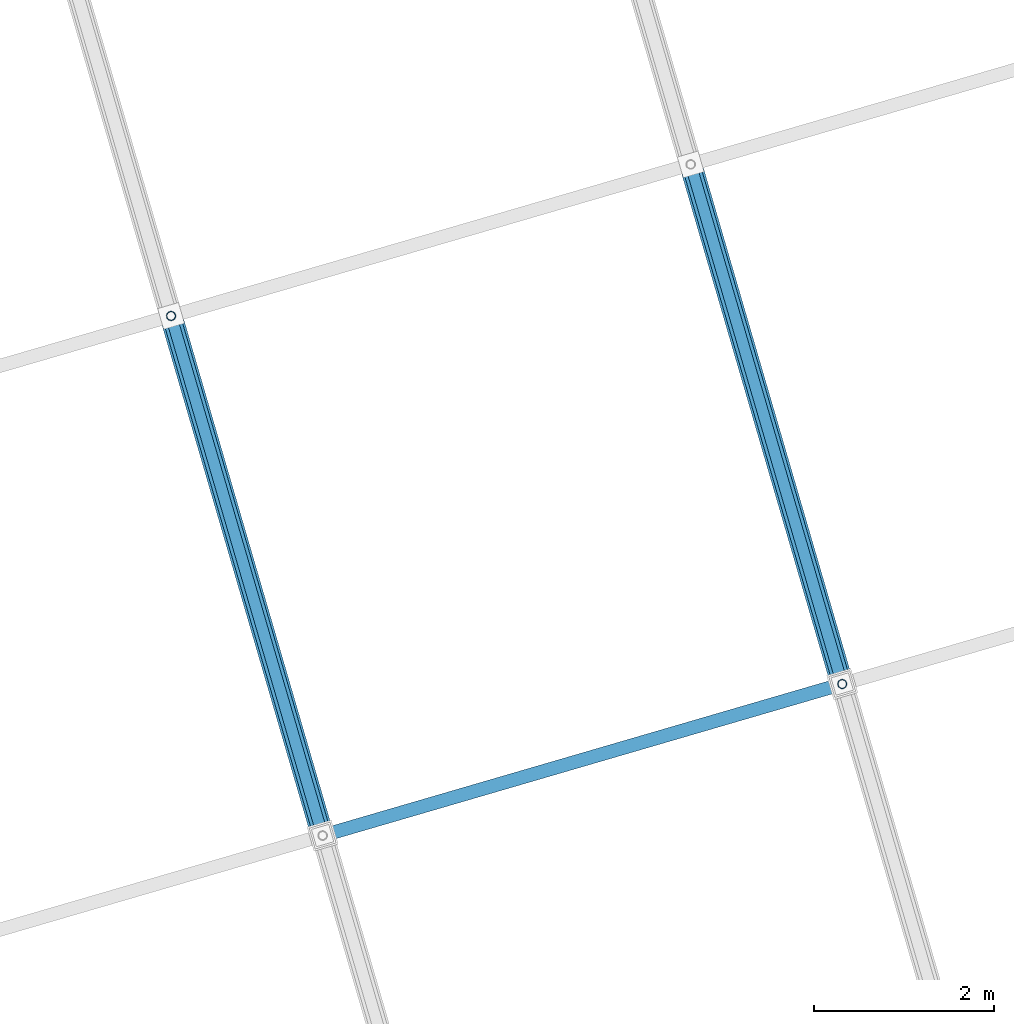
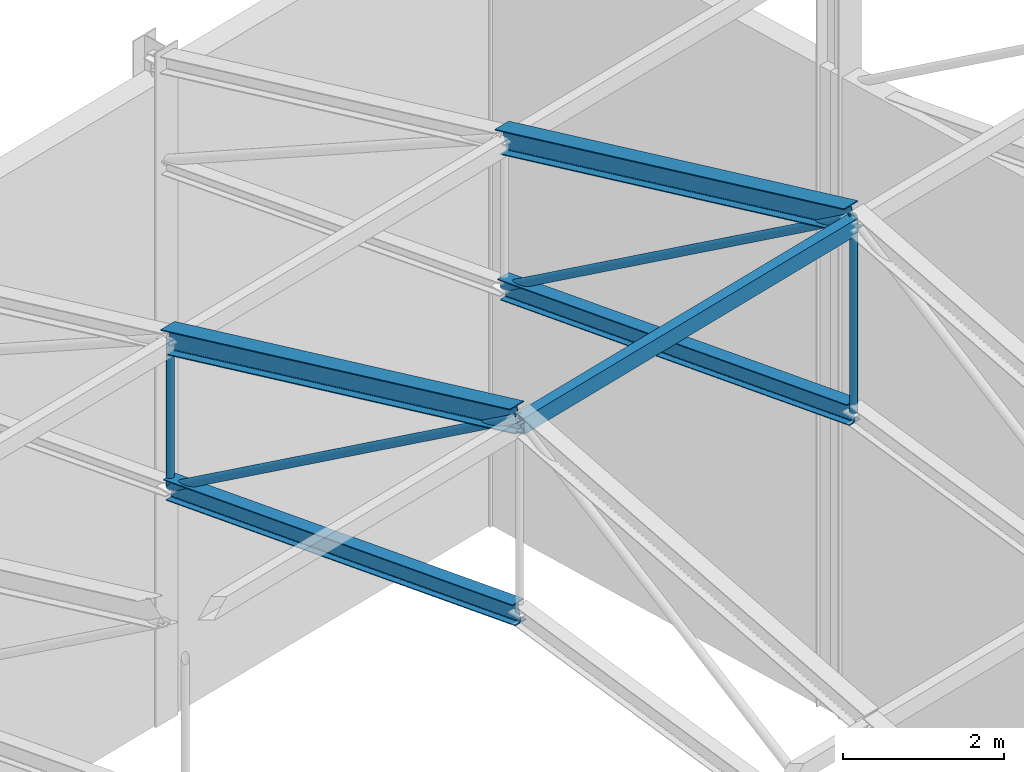
# One storey, part 179 of 248: 9 members.
"""IFC4 building model written with IfcOpenShell, lengths in metres."""

import ifcopenshell
import ifcopenshell.guid

model = None  # the IFC model being written
_history = None  # IfcOwnerHistory: only IFC2X3 demands one
_inside = {}  # id of a spatial element -> (the spatial element, [elements in it])
_under = {}  # id of a project, library or spatial element -> (it, [spatial elements below it])
_declared = {}  # id of a project -> (the project, [libraries it declares])
_typed = {}  # id of a type object -> (the type object, [elements of that type])
_made_of = {}  # id of a material, layer set ... -> (it, [elements and type objects made of it])


def new_model(schema):
    """Start an empty IFC model of exactly this schema.

    Asked for "IFC4X3", IfcOpenShell would pick the latest addendum, in which some entities
    have other attributes; the version numbers below select the first issue.
    IFC2X3 requires an IfcOwnerHistory on every rooted entity: one is made here for all.
    """
    global model, _history
    if schema == "IFC4X3":
        model = ifcopenshell.file(schema_version=(4, 3, 0, 0))
    else:
        model = ifcopenshell.file(schema=schema)
    _inside.clear()
    _under.clear()
    _declared.clear()
    _typed.clear()
    _made_of.clear()
    _history = None
    if model.schema == "IFC2X3":
        org = make("IfcOrganization", Name="unknown")
        user = make(
            "IfcPersonAndOrganization",
            ThePerson=make("IfcPerson", FamilyName="unknown"),
            TheOrganization=org,
        )
        app = make(
            "IfcApplication",
            ApplicationDeveloper=org,
            Version="unknown",
            ApplicationFullName="unknown",
            ApplicationIdentifier="unknown",
        )
        _history = make(
            "IfcOwnerHistory",
            OwningUser=user,
            OwningApplication=app,
            ChangeAction="ADDED",
            CreationDate=0,
        )
    return model


def make(cls, **values):
    """One entity of the class cls with the attributes given. An attribute that is None is left unset."""
    return model.create_entity(
        cls, **{name: value for name, value in values.items() if value is not None}
    )


def rooted(cls, **values):
    """An entity with a GlobalId (a new one), such as an element, a storey or a relation."""
    return make(cls, GlobalId=ifcopenshell.guid.new(), OwnerHistory=_history, **values)


def si_unit(unit_type, name, prefix=None):
    """IfcSIUnit, for example si_unit("LENGTHUNIT", "METRE", prefix="MILLI")."""
    return make("IfcSIUnit", UnitType=unit_type, Prefix=prefix, Name=name)


def assignment(units):
    """IfcUnitAssignment: the units of a project."""
    return None if units is None else make("IfcUnitAssignment", Units=units)


def point(xyz):
    """IfcCartesianPoint."""
    return None if xyz is None else make("IfcCartesianPoint", Coordinates=xyz)


def direction(xyz):
    """IfcDirection."""
    return None if xyz is None else make("IfcDirection", DirectionRatios=xyz)


def frame(location, z_axis=None, x_axis=None):
    """IfcAxis2Placement3D, a coordinate frame: its origin and axes. An axis left out is left unset."""
    return make(
        "IfcAxis2Placement3D",
        Location=point(location),
        Axis=direction(z_axis),
        RefDirection=direction(x_axis),
    )


def frame_2d(location, x_axis=None):
    """IfcAxis2Placement2D, a coordinate frame in the plane: its origin and x axis."""
    return make(
        "IfcAxis2Placement2D", Location=point(location), RefDirection=direction(x_axis)
    )


def origin():
    """The frame at (0, 0, 0) with its axes left unset."""
    return frame((0.0, 0.0, 0.0))


def origin_2d():
    """The frame at (0, 0) in the plane with its x axis left unset."""
    return frame_2d((0.0, 0.0))


def place(relative_to, where):
    """IfcLocalPlacement: puts the frame where relative to a parent placement (None: the world)."""
    return make(
        "IfcLocalPlacement", PlacementRelTo=relative_to, RelativePlacement=where
    )


def context(
    kind, dimensions, precision=None, world=None, true_north=None, identifier=None
):
    """IfcGeometricRepresentationContext, for example the 3D "Model" context."""
    return make(
        "IfcGeometricRepresentationContext",
        ContextIdentifier=identifier,
        ContextType=kind,
        CoordinateSpaceDimension=dimensions,
        Precision=precision,
        WorldCoordinateSystem=world,
        TrueNorth=true_north,
    )


def subcontext(parent, identifier, kind, view, scale=None):
    """IfcGeometricRepresentationSubContext, for example "Body" below "Model"."""
    return make(
        "IfcGeometricRepresentationSubContext",
        ContextIdentifier=identifier,
        ContextType=kind,
        ParentContext=parent,
        TargetScale=scale,
        TargetView=view,
    )


def project(units=None, contexts=None):
    """IfcProject with its units and contexts."""
    return rooted(
        "IfcProject",
        Name="project",
        RepresentationContexts=contexts,
        UnitsInContext=assignment(units),
    )


def spatial(cls, under=None, at=None, **own):
    """A site, building, storey or space (cls), placed at a placement, below another one or the project."""
    s = rooted(cls, ObjectPlacement=at, **own)
    if under is not None:
        _under.setdefault(under.id(), (under, []))[1].append(s)
    return s


def profile(cls, at=None, kind="AREA", **sizes):
    """A parametric profile (cls). Its sizes go by their IFC names, for example OverallWidth=200.0."""
    return make(cls, ProfileType=kind, Position=at, **sizes)


def hollow_rectangle(**sizes):
    """IfcRectangleHollowProfileDef."""
    return profile("IfcRectangleHollowProfileDef", **sizes)


def hollow_circle(**sizes):
    """IfcCircleHollowProfileDef."""
    return profile("IfcCircleHollowProfileDef", **sizes)


def i_section(**sizes):
    """IfcIShapeProfileDef."""
    return profile("IfcIShapeProfileDef", **sizes)


def extrude(swept, where, along, depth):
    """IfcExtrudedAreaSolid: the profile swept, set in the frame where, extruded along a direction by depth."""
    return make(
        "IfcExtrudedAreaSolid",
        SweptArea=swept,
        Position=where,
        ExtrudedDirection=direction(along),
        Depth=depth,
    )


def shape(context_of_items, identifier, shape_type, items):
    """IfcShapeRepresentation: the items that make up one representation, for example the "Body"."""
    return make(
        "IfcShapeRepresentation",
        ContextOfItems=context_of_items,
        RepresentationIdentifier=identifier,
        RepresentationType=shape_type,
        Items=items,
    )


def material(Name=None, Category=None):
    """IfcMaterial."""
    return make("IfcMaterial", Name=Name, Category=Category)


def material_profile(
    of_material, cross_section, Name=None, Category=None, Priority=None
):
    """IfcMaterialProfile: a cross section and its material."""
    return make(
        "IfcMaterialProfile",
        Name=Name,
        Material=of_material,
        Profile=cross_section,
        Priority=Priority,
        Category=Category,
    )


def profile_set(profiles, Name=None, composite=None):
    """IfcMaterialProfileSet."""
    return make(
        "IfcMaterialProfileSet",
        Name=Name,
        MaterialProfiles=profiles,
        CompositeProfile=composite,
    )


def made_of(thing, what):
    """Note that an element or type object is made of a material, layer set ...; save() writes the relation."""
    if what is not None:
        _made_of.setdefault(what.id(), (what, []))[1].append(thing)
    return thing


def type_object(cls, material=None, **own):
    """A type object (cls), such as IfcWallType, which elements share."""
    return made_of(rooted(cls, **own), material)


def element(
    cls,
    number,
    at=None,
    inside=None,
    cuts=None,
    type_object=None,
    material=None,
    context=None,
    identifier="Body",
    shape_type=None,
    held_by="IfcProductDefinitionShape",
    body=None,
    shapes=None,
    **own,
):
    """One element of the class cls, such as IfcWall. Its Tag is "e" and its number.

    at: its placement. inside: the storey or other place that contains it. cuts: it is an
    opening in that element (IfcRelVoidsElement). A single representation is given by context,
    identifier, shape_type and body (its items); several are given by shapes. held_by: the class
    of the entity that holds the representations. save() writes the other relations.
    """
    e = rooted(cls, Tag="e%d" % number, ObjectPlacement=at, **own)
    if body is not None:
        shapes = [shape(context, identifier, shape_type, body)]
    if shapes is not None:
        e.Representation = make(held_by, Representations=shapes)
    if inside is not None:
        _inside.setdefault(inside.id(), (inside, []))[1].append(e)
    if cuts is not None:
        rooted(
            "IfcRelVoidsElement", RelatingBuildingElement=cuts, RelatedOpeningElement=e
        )
    if type_object is not None:
        _typed.setdefault(type_object.id(), (type_object, []))[1].append(e)
    return made_of(e, material)


def aggregate(whole, parts):
    """IfcRelAggregates: a whole, such as a stair, and the parts it consists of."""
    return rooted("IfcRelAggregates", RelatingObject=whole, RelatedObjects=parts)


def save(model, path):
    """Write the relations noted so far, then the file.

    IfcRelAggregates (storeys below a building ...), IfcRelContainedInSpatialStructure (elements
    in a storey), IfcRelDefinesByType, IfcRelAssociatesMaterial and IfcRelDeclares: one each for
    every whole, place, type object, material and project.
    """
    for whole, parts in _under.values():
        aggregate(whole, parts)
    for where, things in _inside.values():
        rooted(
            "IfcRelContainedInSpatialStructure",
            RelatedElements=things,
            RelatingStructure=where,
        )
    for kind, things in _typed.values():
        rooted("IfcRelDefinesByType", RelatedObjects=things, RelatingType=kind)
    for what, things in _made_of.values():
        rooted("IfcRelAssociatesMaterial", RelatedObjects=things, RelatingMaterial=what)
    for by, libraries in _declared.values():
        rooted("IfcRelDeclares", RelatingContext=by, RelatedDefinitions=libraries)
    model.write(path)


model = new_model("IFC4")

# Units and contexts
model_context = context("Model", 3, precision=1e-05, world=origin(), true_north=direction((0.0, 1.0)))
body_context = subcontext(model_context, "Body", "Model", "MODEL_VIEW")
ifc_project = project(units=[si_unit("LENGTHUNIT", "METRE"), si_unit("AREAUNIT", "SQUARE_METRE"), si_unit("VOLUMEUNIT", "CUBIC_METRE"), si_unit("PLANEANGLEUNIT", "RADIAN"), si_unit("MASSUNIT", "GRAM", prefix="KILO")], contexts=[model_context])

# Site, building, storey
site_placement = place(None, origin())
site = spatial("IfcSite", under=ifc_project, at=site_placement, CompositionType="ELEMENT")
building_placement = place(site_placement, origin())
building = spatial("IfcBuilding", under=site, at=building_placement, Name="Canggui Botanical Conservatory", CompositionType="ELEMENT")
storey_placement = place(building_placement, frame((0.0, 0.0, 5.39990234375)))
storey = spatial("IfcBuildingStorey", under=building, at=storey_placement, Name="L02", CompositionType="ELEMENT", Elevation=5.39990234375)

# Members
ifc_material = material(Name="Steel Q355B", Category="steel")
ifc_material_profile_1 = material_profile(ifc_material, hollow_rectangle(XDim=0.14990234375, YDim=0.25, WallThickness=0.008056640625, at=origin_2d()), Name="RHS 150x250x8")
ifc_profile_set_1 = profile_set([ifc_material_profile_1], Name="Steel Q355B")
member_type_1 = type_object("IfcMemberType", Name="MEM-PUR01", PredefinedType="PURLIN", material=ifc_profile_set_1)
member_1_placement = place(storey_placement, frame((85.679931640625, 108.239990234375, 13.25), z_axis=(0.960003190047, 0.279989062464, 0.0), x_axis=(-0.279989062464, 0.960003190047, 0.0)))
element("IfcMember", 1, at=member_1_placement, inside=storey, type_object=member_type_1, Name="Auditorium Roof Purlin 5-2", PredefinedType="PURLIN", context=body_context, shape_type="SweptSolid", body=[
    extrude(hollow_rectangle(XDim=0.14990234375, YDim=0.25, WallThickness=0.008056640625, at=origin_2d()), origin(), (0.0, 0.0, 1.0), 6.0),
])
ifc_material_profile_2 = material_profile(ifc_material, i_section(OverallWidth=0.25, OverallDepth=0.35009765625, WebThickness=0.009033203125, FlangeThickness=0.013916015625, FilletRadius=0.02001953125, at=origin_2d()), Name="HM 350x250x9x14")
ifc_profile_set_2 = profile_set([ifc_material_profile_2], Name="Steel Q355B")
member_type_2 = type_object("IfcMemberType", Name="MEM-TC03", PredefinedType="CHORD", material=ifc_profile_set_2)
for number, where, z_axis, x_axis, name in (
    (2, (85.679931640625, 108.239990234375, 13.35009765625), (-0.269385502469, 0.923646586216, -0.272595735168), (-0.960003190047, -0.279989062464, 0.0), "Auditorium Truss AT-05 Top Chord 3"),
    (3, (91.43994140625, 109.919921875, 13.35009765625), (-0.269385502469, 0.923646586216, -0.272595735168), (-0.960003190047, -0.279989062464, 0.0), "Auditorium Truss AT-06 Top Chord 3"),
):
    element("IfcMember", number, at=place(storey_placement, frame(where, z_axis=z_axis, x_axis=x_axis)), inside=storey, type_object=member_type_2, Name=name, PredefinedType="CHORD", context=body_context, shape_type="SweptSolid", body=[
        extrude(i_section(OverallWidth=0.25, OverallDepth=0.35009765625, WebThickness=0.009033203125, FlangeThickness=0.013916015625, FilletRadius=0.02001953125, at=origin_2d()), origin(), (0.0, 0.0, 1.0), 6.236083984375),
    ])
ifc_material_profile_3 = material_profile(ifc_material, i_section(OverallWidth=0.199951171875, OverallDepth=0.300048828125, WebThickness=0.008056640625, FlangeThickness=0.011962890625, FilletRadius=0.01806640625, at=origin_2d()), Name="HM 300x200x8x12")
ifc_profile_set_3 = profile_set([ifc_material_profile_3], Name="Steel Q355B")
member_type_3 = type_object("IfcMemberType", Name="MEM-TC04", PredefinedType="CHORD", material=ifc_profile_set_3)
for number, where, z_axis, x_axis, name in (
    (4, (85.679931640625, 108.239990234375, 10.400146484375), (-0.276179497805, 0.946941271868, -0.16439924764), (-0.960003190047, -0.279989062464, 0.0), "Auditorium Truss AT-05 Bottom Chord 3"),
    (5, (91.43994140625, 109.919921875, 10.400146484375), (-0.276179497805, 0.946941271868, -0.16439924764), (-0.960003190047, -0.279989062464, 0.0), "Auditorium Truss AT-06 Bottom Chord 3"),
):
    element("IfcMember", number, at=place(storey_placement, frame(where, z_axis=z_axis, x_axis=x_axis)), inside=storey, type_object=member_type_3, Name=name, PredefinedType="CHORD", context=body_context, shape_type="SweptSolid", body=[
        extrude(i_section(OverallWidth=0.199951171875, OverallDepth=0.300048828125, WebThickness=0.008056640625, FlangeThickness=0.011962890625, FilletRadius=0.01806640625, at=origin_2d()), origin(), (0.0, 0.0, 1.0), 6.082763671875),
    ])
ifc_material_profile_4 = material_profile(ifc_material, hollow_circle(Radius=0.0634765625, WallThickness=0.006103515625, at=origin_2d()), Name="CHS 127x6")
ifc_profile_set_4 = profile_set([ifc_material_profile_4], Name="Steel Q355B")
member_type_4 = type_object("IfcMemberType", Name="MEM-TW02", PredefinedType="BRACE", material=ifc_profile_set_4)
for number, where, z_axis, x_axis, name in (
    (6, (84.0, 114.0, 9.400146484375), (0.233861297543, -0.801844149531, 0.54986803269), (0.960003190047, 0.279989062464, 0.0), "Auditorium Truss AT-05 Web Diagonal 3"),
    (7, (89.760009765625, 115.679931640625, 9.400146484375), (0.233861297543, -0.801844149531, 0.54986803269), (0.960003190047, 0.279989062464, 0.0), "Auditorium Truss AT-06 Web Diagonal 3"),
):
    element("IfcMember", number, at=place(storey_placement, frame(where, z_axis=z_axis, x_axis=x_axis)), inside=storey, type_object=member_type_4, Name=name, PredefinedType="BRACE", context=body_context, shape_type="SweptSolid", body=[
        extrude(hollow_circle(Radius=0.0634765625, WallThickness=0.006103515625, at=origin_2d()), origin(), (0.0, 0.0, 1.0), 7.183349609375),
    ])
ifc_material_profile_5 = material_profile(ifc_material, hollow_circle(Radius=0.051025390625, WallThickness=0.0048828125, at=origin_2d()), Name="CHS 102x5")
ifc_profile_set_5 = profile_set([ifc_material_profile_5], Name="Steel Q355B")
member_type_5 = type_object("IfcMemberType", Name="MEM-TW04", PredefinedType="BRACE", material=ifc_profile_set_5)
member_2_placement = place(storey_placement, frame((84.0, 114.0, 9.400146484375), z_axis=(0.0, 0.0, 1.0), x_axis=(1.0, 0.0, 0.0)))
element("IfcMember", 8, at=member_2_placement, inside=storey, type_object=member_type_5, Name="Auditorium Truss AT-05 Vertical Post 4", PredefinedType="BRACE", context=body_context, shape_type="SweptSolid", body=[
    extrude(hollow_circle(Radius=0.051025390625, WallThickness=0.0048828125, at=origin_2d()), origin(), (0.0, 0.0, 1.0), 2.25),
])
member_3_placement = place(storey_placement, frame((91.43994140625, 109.919921875, 10.400146484375), z_axis=(0.0, 0.0, 1.0), x_axis=(1.0, 0.0, 0.0)))
element("IfcMember", 9, at=member_3_placement, inside=storey, type_object=member_type_5, Name="Auditorium Truss AT-06 Vertical Post 3", PredefinedType="BRACE", context=body_context, shape_type="SweptSolid", body=[
    extrude(hollow_circle(Radius=0.051025390625, WallThickness=0.0048828125, at=origin_2d()), origin(), (0.0, 0.0, 1.0), 2.949951171875),
])

save(model, "model.ifc")
